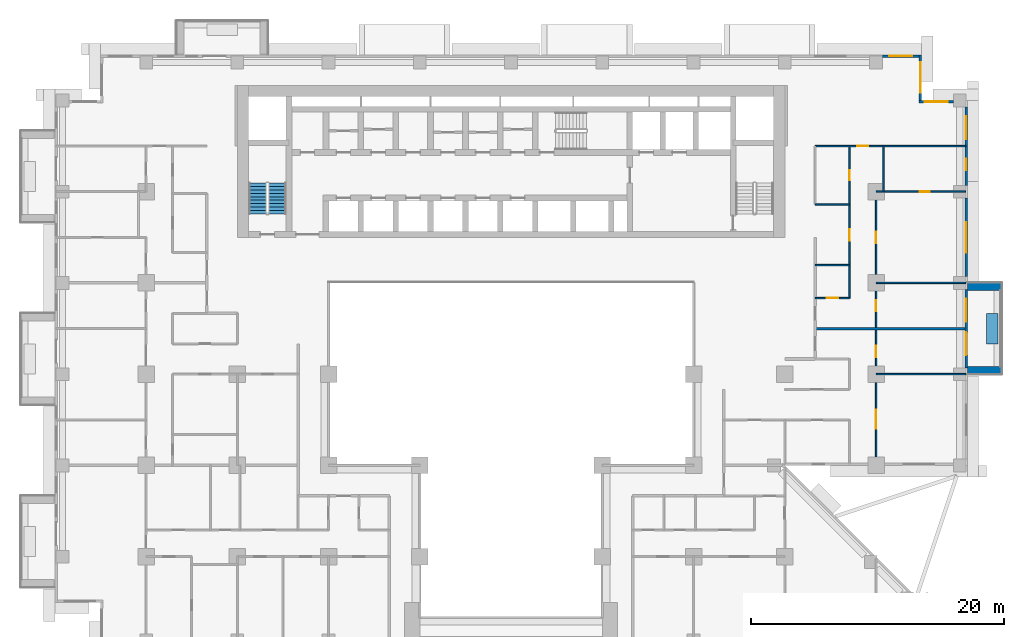
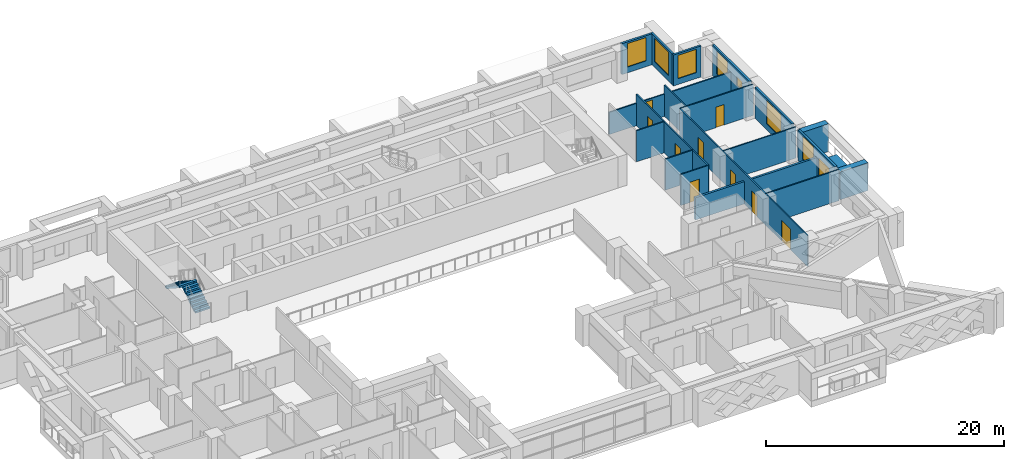
# One storey, part 12 of 17: 20 walls, 10 doors, 7 windows, 2 stair flights, 17 openings, 1 element without a shape of its own.
"""IFC4 building model written with IfcOpenShell, lengths in metres."""

from ifc_helpers import new_model, si_unit, direction, frame, frame_2d, origin, place, context, subcontext, project, spatial, polyline, rectangle, outline, extrude, material, layer, layer_set, type_object, element, fill, aggregate, save


model = new_model("IFC4")

# Units and contexts
model_context = context("Model", 3, precision=1e-05, world=origin(), true_north=direction((0.0, 1.0)))
body_context = subcontext(model_context, "Body", "Model", "MODEL_VIEW")
ifc_project = project(units=[si_unit("LENGTHUNIT", "METRE"), si_unit("AREAUNIT", "SQUARE_METRE"), si_unit("VOLUMEUNIT", "CUBIC_METRE"), si_unit("PLANEANGLEUNIT", "RADIAN"), si_unit("MASSUNIT", "GRAM", prefix="KILO")], contexts=[model_context])

# Site, building, storey
site_placement = place(None, origin())
site = spatial("IfcSite", under=ifc_project, at=site_placement, CompositionType="ELEMENT")
building_placement = place(site_placement, origin())
building = spatial("IfcBuilding", under=site, at=building_placement, Name="Saffron Iwan Residences", CompositionType="ELEMENT")
storey_placement = place(building_placement, frame((0.0, 0.0, 86.5)))
storey = spatial("IfcBuildingStorey", under=building, at=storey_placement, Name="L22", CompositionType="ELEMENT", Elevation=86.5)

# Walls
ifc_material_1 = material(Name="Concrete C50/60 white painted", Category="concrete")
ifc_layer_1 = layer(ifc_material_1, 0.60009765625)
ifc_layer_set_1 = layer_set([ifc_layer_1], Name="Concrete C50/60 white painted")
wall_type_1 = type_object("IfcWallType", Name="BALCONY FIN 600", PredefinedType="SOLIDWALL", material=ifc_layer_set_1)
for number, where, z_axis, x_axis, name in (
    (1, (86.39990234375, 55.5, 0.0), (0.0, 0.0, 1.0), (1.0, 0.0, 0.0), "Balcony fin L22 F2-0a"),
    (2, (86.39990234375, 62.10009765625, 0.0), (0.0, 0.0, 1.0), (1.0, 0.0, 0.0), "Balcony fin L22 F2-0b"),
):
    element("IfcWall", number, at=place(storey_placement, frame(where, z_axis=z_axis, x_axis=x_axis)), inside=storey, type_object=wall_type_1, Name=name, PredefinedType="SOLIDWALL", context=body_context, shape_type="SweptSolid", body=[
        extrude(rectangle(XDim=2.7001953125, YDim=0.60009765625, at=frame_2d((1.35009765625, 0.0))), origin(), (0.0, 0.0, 1.0), 2.85009765625),
    ])
ifc_material_2 = material(Name="Concrete C35/45 white painted", Category="concrete")
ifc_layer_2 = layer(ifc_material_2, 0.14990234375)
ifc_layer_set_2 = layer_set([ifc_layer_2], Name="Concrete C35/45 white painted")
wall_type_2 = type_object("IfcWallType", Name="BALCONY PLANTER", PredefinedType="SOLIDWALL", material=ifc_layer_set_2)
wall_1_placement = place(storey_placement, frame((88.375, 57.60009765625, 0.0), z_axis=(0.0, 0.0, 1.0), x_axis=(0.0, 1.0, 0.0)))
element("IfcWall", 3, at=wall_1_placement, inside=storey, type_object=wall_type_2, Name="PLANTER L22 F2-0", PredefinedType="SOLIDWALL", context=body_context, shape_type="SweptSolid", body=[
    extrude(rectangle(XDim=2.39990234375, YDim=0.89990234375, at=frame_2d((1.199951171875, 0.0))), origin(), (0.0, 0.0, 1.0), 0.89990234375),
])

# Wall, openings, door, window
ifc_material_3 = material(Name="Concrete C40/50", Category="concrete")
ifc_layer_3 = layer(ifc_material_3, 0.199951171875)
ifc_layer_set_3 = layer_set([ifc_layer_3], Name="Concrete C40/50")
wall_type_3 = type_object("IfcWallType", Name="EXTERNAL WALL 200", PredefinedType="SOLIDWALL", material=ifc_layer_set_3)
wall_2_placement = place(storey_placement, frame((86.300048828125, 55.699951171875, 0.0), z_axis=(0.0, 0.0, 1.0), x_axis=(0.0, 1.0, 0.0)))
wall_2 = element("IfcWall", 4, at=wall_2_placement, inside=storey, type_object=wall_type_3, Name="External wall L22 F2.1", PredefinedType="SOLIDWALL", context=body_context, shape_type="SweptSolid", body=[
    extrude(rectangle(XDim=6.199951171875, YDim=0.199951171875, at=frame_2d((3.10009765625, 0.0))), origin(), (0.0, 0.0, 1.0), 3.179931640625),
])
opening_1_placement = place(wall_2_placement, frame((1.0, 0.0, 0.0)))
opening_1 = element("IfcOpeningElement", 5, at=opening_1_placement, cuts=wall_2, Name="Opening BD1", PredefinedType="OPENING", context=body_context, shape_type="SweptSolid", body=[
    extrude(rectangle(XDim=1.800048828125, YDim=2.39990234375, at=frame_2d((0.89990234375, 1.199951171875))), frame((0.0, 0.10986328125, 0.0), z_axis=(0.0, -1.0, 0.0), x_axis=(1.0, 0.0, 0.0)), (0.0, 0.0, 1.0), 0.219970703125),
])
opening_2_placement = place(wall_2_placement, frame((3.64990234375, 0.0, 0.60009765625)))
opening_2 = element("IfcOpeningElement", 6, at=opening_2_placement, cuts=wall_2, Name="Opening W8", PredefinedType="OPENING", context=body_context, shape_type="SweptSolid", body=[
    extrude(rectangle(XDim=1.800048828125, YDim=2.39990234375, at=frame_2d((0.89990234375, 1.199951171875))), frame((0.0, 0.10986328125, 0.0), z_axis=(0.0, -1.0, 0.0), x_axis=(1.0, 0.0, 0.0)), (0.0, 0.0, 1.0), 0.219970703125),
])
ifc_material_4 = material(Name="Clear glass, laminated double glazed", Category="glass")
door_type_1 = type_object("IfcDoorType", Name="BALCONY DOOR 1800 x 2400", OperationType="DOUBLE_DOOR_SLIDING", PredefinedType="DOOR", material=ifc_material_4)
door_1_placement = place(opening_1_placement, origin())
door_1 = element("IfcDoor", 7, at=door_1_placement, inside=storey, type_object=door_type_1, Name="Balcony door L22 F2.0", OperationType="DOUBLE_DOOR_SLIDING", OverallHeight=2.39990234375, OverallWidth=1.800048828125, PredefinedType="DOOR", context=body_context, shape_type="SweptSolid", body=[
    extrude(rectangle(XDim=1.800048828125, YDim=2.39990234375, at=frame_2d((0.89990234375, 1.199951171875))), frame((0.0, 0.02490234375, 0.0), z_axis=(0.0, -1.0, 0.0), x_axis=(1.0, 0.0, 0.0)), (0.0, 0.0, 1.0), 0.050048828125),
])
fill(opening_1, door_1)
window_type_1 = type_object("IfcWindowType", Name="WINDOW 1800 x 2400", PartitioningType="DOUBLE_PANEL_VERTICAL", PredefinedType="WINDOW", material=ifc_material_4)
window_1_placement = place(opening_2_placement, origin())
window_1 = element("IfcWindow", 8, at=window_1_placement, inside=storey, type_object=window_type_1, Name="Window L22 F2.1", OverallHeight=2.39990234375, OverallWidth=1.800048828125, PartitioningType="DOUBLE_PANEL_VERTICAL", PredefinedType="WINDOW", context=body_context, shape_type="SweptSolid", body=[
    extrude(rectangle(XDim=1.800048828125, YDim=2.39990234375, at=frame_2d((0.89990234375, 1.199951171875))), frame((0.0, 0.030029296875, 0.0), z_axis=(0.0, -1.0, 0.0), x_axis=(1.0, 0.0, 0.0)), (0.0, 0.0, 1.0), 0.06005859375),
])
fill(opening_2, window_1)

# Wall, opening, window
wall_3_placement = place(storey_placement, frame((86.300048828125, 62.89990234375, 0.0), z_axis=(0.0, 0.0, 1.0), x_axis=(0.0, 1.0, 0.0)))
wall_3 = element("IfcWall", 9, at=wall_3_placement, inside=storey, type_object=wall_type_3, Name="External wall L22 F2.2", PredefinedType="SOLIDWALL", context=body_context, shape_type="SweptSolid", body=[
    extrude(rectangle(XDim=6.2001953125, YDim=0.199951171875, at=frame_2d((3.10009765625, 0.0))), origin(), (0.0, 0.0, 1.0), 3.179931640625),
])
opening_3_placement = place(wall_3_placement, frame((1.89990234375, 0.0, 0.60009765625)))
opening_3 = element("IfcOpeningElement", 10, at=opening_3_placement, cuts=wall_3, Name="Opening W1", PredefinedType="OPENING", context=body_context, shape_type="SweptSolid", body=[
    extrude(rectangle(XDim=2.39990234375, YDim=2.39990234375, at=frame_2d((1.199951171875, 1.199951171875))), frame((0.0, 0.10986328125, 0.0), z_axis=(0.0, -1.0, 0.0), x_axis=(1.0, 0.0, 0.0)), (0.0, 0.0, 1.0), 0.219970703125),
])
window_type_2 = type_object("IfcWindowType", Name="WINDOW 2400 x 2400", PartitioningType="DOUBLE_PANEL_VERTICAL", PredefinedType="WINDOW", material=ifc_material_4)
window_2_placement = place(opening_3_placement, origin())
window_2 = element("IfcWindow", 11, at=window_2_placement, inside=storey, type_object=window_type_2, Name="Window L22 F2.0", OverallHeight=2.39990234375, OverallWidth=2.39990234375, PartitioningType="DOUBLE_PANEL_VERTICAL", PredefinedType="WINDOW", context=body_context, shape_type="SweptSolid", body=[
    extrude(rectangle(XDim=2.39990234375, YDim=2.39990234375, at=frame_2d((1.199951171875, 1.199951171875))), frame((0.0, 0.030029296875, 0.0), z_axis=(0.0, -1.0, 0.0), x_axis=(1.0, 0.0, 0.0)), (0.0, 0.0, 1.0), 0.06005859375),
])
fill(opening_3, window_2)

# Wall, openings, windows
wall_4_placement = place(storey_placement, frame((86.300048828125, 70.10009765625, 0.0), z_axis=(0.0, 0.0, 1.0), x_axis=(0.0, 1.0, 0.0)))
wall_4 = element("IfcWall", 12, at=wall_4_placement, inside=storey, type_object=wall_type_3, Name="External wall L22 F2.3", PredefinedType="SOLIDWALL", context=body_context, shape_type="SweptSolid", body=[
    extrude(rectangle(XDim=6.199951171875, YDim=0.199951171875, at=frame_2d((3.10009765625, 0.0))), origin(), (0.0, 0.0, 1.0), 3.179931640625),
])
opening_4_placement = place(wall_4_placement, frame((1.199951171875, 0.0, 1.5)))
opening_4 = element("IfcOpeningElement", 13, at=opening_4_placement, cuts=wall_4, Name="Opening W6", PredefinedType="OPENING", context=body_context, shape_type="SweptSolid", body=[
    extrude(rectangle(XDim=0.89990234375, YDim=0.89990234375, at=frame_2d((0.449951171875, 0.449951171875))), frame((0.0, 0.10986328125, 0.0), z_axis=(0.0, -1.0, 0.0), x_axis=(1.0, 0.0, 0.0)), (0.0, 0.0, 1.0), 0.219970703125),
])
opening_5_placement = place(wall_4_placement, frame((3.64990234375, 0.0, 0.60009765625)))
opening_5 = element("IfcOpeningElement", 14, at=opening_5_placement, cuts=wall_4, Name="Opening W8", PredefinedType="OPENING", context=body_context, shape_type="SweptSolid", body=[
    extrude(rectangle(XDim=1.800048828125, YDim=2.39990234375, at=frame_2d((0.89990234375, 1.199951171875))), frame((0.0, 0.10986328125, 0.0), z_axis=(0.0, -1.0, 0.0), x_axis=(1.0, 0.0, 0.0)), (0.0, 0.0, 1.0), 0.219970703125),
])
window_3_placement = place(opening_5_placement, origin())
window_3 = element("IfcWindow", 15, at=window_3_placement, inside=storey, type_object=window_type_1, Name="Window L22 F2.1", OverallHeight=2.39990234375, OverallWidth=1.800048828125, PartitioningType="DOUBLE_PANEL_VERTICAL", PredefinedType="WINDOW", context=body_context, shape_type="SweptSolid", body=[
    extrude(rectangle(XDim=1.800048828125, YDim=2.39990234375, at=frame_2d((0.89990234375, 1.199951171875))), frame((0.0, 0.030029296875, 0.0), z_axis=(0.0, -1.0, 0.0), x_axis=(1.0, 0.0, 0.0)), (0.0, 0.0, 1.0), 0.06005859375),
])
fill(opening_5, window_3)
window_type_3 = type_object("IfcWindowType", Name="WINDOW 900 x 900 BATH", PartitioningType="SINGLE_PANEL", PredefinedType="WINDOW", material=ifc_material_4)
window_4_placement = place(opening_4_placement, origin())
window_4 = element("IfcWindow", 16, at=window_4_placement, inside=storey, type_object=window_type_3, Name="Window L22 F2.0", OverallHeight=0.89990234375, OverallWidth=0.89990234375, PartitioningType="SINGLE_PANEL", PredefinedType="WINDOW", context=body_context, shape_type="SweptSolid", body=[
    extrude(rectangle(XDim=0.89990234375, YDim=0.89990234375, at=frame_2d((0.449951171875, 0.449951171875))), frame((0.0, 0.030029296875, 0.0), z_axis=(0.0, -1.0, 0.0), x_axis=(1.0, 0.0, 0.0)), (0.0, 0.0, 1.0), 0.06005859375),
])
fill(opening_4, window_4)

# Wall, opening, window
wall_5_placement = place(storey_placement, frame((85.300048828125, 76.699951171875, 0.0), z_axis=(0.0, 0.0, 1.0), x_axis=(-1.0, 0.0, 0.0)))
wall_5 = element("IfcWall", 17, at=wall_5_placement, inside=storey, type_object=wall_type_3, Name="External wall L22 F3.0", PredefinedType="SOLIDWALL", context=body_context, shape_type="SweptSolid", body=[
    extrude(rectangle(XDim=2.699951171875, YDim=0.199951171875, at=frame_2d((1.35009765625, 0.0))), origin(), (0.0, 0.0, 1.0), 3.179931640625),
])
opening_6_placement = place(wall_5_placement, frame((0.449951171875, 0.0, 0.60009765625)))
opening_6 = element("IfcOpeningElement", 18, at=opening_6_placement, cuts=wall_5, Name="Opening W8", PredefinedType="OPENING", context=body_context, shape_type="SweptSolid", body=[
    extrude(rectangle(XDim=1.800048828125, YDim=2.39990234375, at=frame_2d((0.89990234375, 1.199951171875))), frame((0.0, 0.10986328125, 0.0), z_axis=(0.0, -1.0, 0.0), x_axis=(1.0, 0.0, 0.0)), (0.0, 0.0, 1.0), 0.219970703125),
])
window_5_placement = place(opening_6_placement, origin())
window_5 = element("IfcWindow", 19, at=window_5_placement, inside=storey, type_object=window_type_1, Name="Window L22 F3.0", OverallHeight=2.39990234375, OverallWidth=1.800048828125, PartitioningType="DOUBLE_PANEL_VERTICAL", PredefinedType="WINDOW", context=body_context, shape_type="SweptSolid", body=[
    extrude(rectangle(XDim=1.800048828125, YDim=2.39990234375, at=frame_2d((0.89990234375, 1.199951171875))), frame((0.0, 0.030029296875, 0.0), z_axis=(0.0, -1.0, 0.0), x_axis=(1.0, 0.0, 0.0)), (0.0, 0.0, 1.0), 0.06005859375),
])
fill(opening_6, window_5)

wall_6_placement = place(storey_placement, frame((82.699951171875, 76.800048828125, 0.0), z_axis=(0.0, 0.0, 1.0), x_axis=(0.0, 1.0, 0.0)))
wall_6 = element("IfcWall", 20, at=wall_6_placement, inside=storey, type_object=wall_type_3, Name="External wall L22 F4.0", PredefinedType="SOLIDWALL", context=body_context, shape_type="SweptSolid", body=[
    extrude(rectangle(XDim=3.599853515625, YDim=0.199951171875, at=frame_2d((1.7998046875, 0.0))), origin(), (0.0, 0.0, 1.0), 3.179931640625),
])
opening_7_placement = place(wall_6_placement, frame((0.60009765625, 0.0, 0.60009765625)))
opening_7 = element("IfcOpeningElement", 21, at=opening_7_placement, cuts=wall_6, Name="Opening W1", PredefinedType="OPENING", context=body_context, shape_type="SweptSolid", body=[
    extrude(rectangle(XDim=2.39990234375, YDim=2.39990234375, at=frame_2d((1.199951171875, 1.199951171875))), frame((0.0, 0.10986328125, 0.0), z_axis=(0.0, -1.0, 0.0), x_axis=(1.0, 0.0, 0.0)), (0.0, 0.0, 1.0), 0.219970703125),
])
window_6_placement = place(opening_7_placement, origin())
window_6 = element("IfcWindow", 22, at=window_6_placement, inside=storey, type_object=window_type_2, Name="Window L22 F4.0", OverallHeight=2.39990234375, OverallWidth=2.39990234375, PartitioningType="DOUBLE_PANEL_VERTICAL", PredefinedType="WINDOW", context=body_context, shape_type="SweptSolid", body=[
    extrude(rectangle(XDim=2.39990234375, YDim=2.39990234375, at=frame_2d((1.199951171875, 1.199951171875))), frame((0.0, 0.030029296875, 0.0), z_axis=(0.0, -1.0, 0.0), x_axis=(1.0, 0.0, 0.0)), (0.0, 0.0, 1.0), 0.06005859375),
])
fill(opening_7, window_6)

wall_7_placement = place(storey_placement, frame((82.60009765625, 80.300048828125, 0.0), z_axis=(0.0, 0.0, 1.0), x_axis=(-1.0, 0.0, 0.0)))
wall_7 = element("IfcWall", 23, at=wall_7_placement, inside=storey, type_object=wall_type_3, Name="External wall L22 F5.0", PredefinedType="SOLIDWALL", context=body_context, shape_type="SweptSolid", body=[
    extrude(rectangle(XDim=2.900146484375, YDim=0.199951171875, at=frame_2d((1.4501953125, 0.0))), origin(), (0.0, 0.0, 1.0), 3.179931640625),
])
opening_8_placement = place(wall_7_placement, frame((0.550048828125, 0.0, 0.60009765625)))
opening_8 = element("IfcOpeningElement", 24, at=opening_8_placement, cuts=wall_7, Name="Opening W8", PredefinedType="OPENING", context=body_context, shape_type="SweptSolid", body=[
    extrude(rectangle(XDim=1.800048828125, YDim=2.39990234375, at=frame_2d((0.89990234375, 1.199951171875))), frame((0.0, 0.10986328125, 0.0), z_axis=(0.0, -1.0, 0.0), x_axis=(1.0, 0.0, 0.0)), (0.0, 0.0, 1.0), 0.219970703125),
])
window_7_placement = place(opening_8_placement, origin())
window_7 = element("IfcWindow", 25, at=window_7_placement, inside=storey, type_object=window_type_1, Name="Window L22 F5.0", OverallHeight=2.39990234375, OverallWidth=1.800048828125, PartitioningType="DOUBLE_PANEL_VERTICAL", PredefinedType="WINDOW", context=body_context, shape_type="SweptSolid", body=[
    extrude(rectangle(XDim=1.800048828125, YDim=2.39990234375, at=frame_2d((0.89990234375, 1.199951171875))), frame((0.0, 0.030029296875, 0.0), z_axis=(0.0, -1.0, 0.0), x_axis=(1.0, 0.0, 0.0)), (0.0, 0.0, 1.0), 0.06005859375),
])
fill(opening_8, window_7)

# Walls
ifc_material_5 = material(Name="Fire-rated gypsum board wall")
ifc_layer_4 = layer(ifc_material_5, 0.199951171875)
ifc_layer_set_4 = layer_set([ifc_layer_4], Name="Fire-rated gypsum board wall")
wall_type_4 = type_object("IfcWallType", Name="Flat demising wall 200", PredefinedType="SOLIDWALL", material=ifc_layer_set_4)
wall_8_placement = place(storey_placement, frame((74.39990234375, 58.800048828125, 0.0), z_axis=(0.0, 0.0, 1.0), x_axis=(1.0, 0.0, 0.0)))
element("IfcWall", 26, at=wall_8_placement, inside=storey, type_object=wall_type_4, Name="W-L22-DEMISE-h58.8-74.4", PredefinedType="SOLIDWALL", context=body_context, shape_type="SweptSolid", body=[
    extrude(rectangle(XDim=11.875, YDim=0.199951171875, at=frame_2d((5.9375, 0.0))), origin(), (0.0, 0.0, 1.0), 2.280029296875),
])
ifc_material_6 = material(Name="Gypsum board partition")
ifc_layer_5 = layer(ifc_material_6, 0.1201171875)
ifc_layer_set_5 = layer_set([ifc_layer_5], Name="Gypsum board partition")
wall_type_5 = type_object("IfcWallType", Name="Flat partition 120", PredefinedType="PARTITIONING", material=ifc_layer_set_5)
wall_9_placement = place(storey_placement, frame((79.199951171875, 55.199951171875, 0.0), z_axis=(0.0, 0.0, 1.0), x_axis=(1.0, 0.0, 0.0)))
element("IfcWall", 27, at=wall_9_placement, inside=storey, type_object=wall_type_5, Name="W-L22-PART-h55.2-79.2", PredefinedType="PARTITIONING", context=body_context, shape_type="SweptSolid", body=[
    extrude(rectangle(XDim=7.074951171875, YDim=0.1201171875, at=frame_2d((3.53759765625, 0.0))), origin(), (0.0, 0.0, 1.0), 3.179931640625),
])

# Wall, opening, door
wall_10_placement = place(storey_placement, frame((74.39990234375, 61.199951171875, 0.0), z_axis=(0.0, 0.0, 1.0), x_axis=(1.0, 0.0, 0.0)))
wall_10 = element("IfcWall", 28, at=wall_10_placement, inside=storey, type_object=wall_type_5, Name="W-L22-PART-h61.2-74.4", PredefinedType="PARTITIONING", context=body_context, shape_type="SweptSolid", body=[
    extrude(rectangle(XDim=2.7001953125, YDim=0.1201171875, at=frame_2d((1.35009765625, 0.0))), origin(), (0.0, 0.0, 1.0), 3.179931640625),
])
opening_9_placement = place(wall_10_placement, frame((0.89990234375, 0.0, 0.0)))
opening_9 = element("IfcOpeningElement", 29, at=opening_9_placement, cuts=wall_10, Name="Opening FD2", PredefinedType="OPENING", context=body_context, shape_type="SweptSolid", body=[
    extrude(rectangle(XDim=0.89990234375, YDim=2.10009765625, at=frame_2d((0.449951171875, 1.050048828125))), frame((0.0, 0.070068359375, 0.0), z_axis=(0.0, -1.0, 0.0), x_axis=(1.0, 0.0, 0.0)), (0.0, 0.0, 1.0), 0.14013671875),
])
ifc_material_7 = material(Name="Timber door", Category="wood")
door_type_2 = type_object("IfcDoorType", Name="Flat door 900", OperationType="NOTDEFINED", PredefinedType="DOOR", material=ifc_material_7)
door_2_placement = place(opening_9_placement, origin())
door_2 = element("IfcDoor", 30, at=door_2_placement, inside=storey, type_object=door_type_2, Name="Door L22-039", OperationType="SINGLE_SWING_RIGHT", OverallHeight=2.10009765625, OverallWidth=0.89990234375, PredefinedType="DOOR", context=body_context, shape_type="SweptSolid", body=[
    extrude(rectangle(XDim=0.89990234375, YDim=2.10009765625, at=frame_2d((0.449951171875, 1.050048828125))), frame((0.0, 0.02490234375, 0.0), z_axis=(0.0, -1.0, 0.0), x_axis=(1.0, 0.0, 0.0)), (0.0, 0.0, 1.0), 0.050048828125),
])
fill(opening_9, door_2)

# Walls
wall_11_placement = place(storey_placement, frame((79.199951171875, 62.39990234375, 0.0), z_axis=(0.0, 0.0, 1.0), x_axis=(1.0, 0.0, 0.0)))
element("IfcWall", 31, at=wall_11_placement, inside=storey, type_object=wall_type_5, Name="W-L22-PART-h62.4-79.2", PredefinedType="PARTITIONING", context=body_context, shape_type="SweptSolid", body=[
    extrude(rectangle(XDim=7.074951171875, YDim=0.1201171875, at=frame_2d((3.53759765625, 0.0))), origin(), (0.0, 0.0, 1.0), 3.179931640625),
])
for number, where, z_axis, x_axis, name in (
    (32, (74.39990234375, 63.800048828125, 0.0), (0.0, 0.0, 1.0), (1.0, 0.0, 0.0), "W-L22-PART-h63.8-74.4"),
    (33, (74.39990234375, 68.60009765625, 0.0), (0.0, 0.0, 1.0), (1.0, 0.0, 0.0), "W-L22-PART-h68.6-74.4"),
):
    element("IfcWall", number, at=place(storey_placement, frame(where, z_axis=z_axis, x_axis=x_axis)), inside=storey, type_object=wall_type_5, Name=name, PredefinedType="PARTITIONING", context=body_context, shape_type="SweptSolid", body=[
        extrude(rectangle(XDim=2.7001953125, YDim=0.1201171875, at=frame_2d((1.35009765625, 0.0))), origin(), (0.0, 0.0, 1.0), 3.179931640625),
    ])

# Wall, opening, door
wall_12_placement = place(storey_placement, frame((79.199951171875, 69.60009765625, 0.0), z_axis=(0.0, 0.0, 1.0), x_axis=(1.0, 0.0, 0.0)))
wall_12 = element("IfcWall", 34, at=wall_12_placement, inside=storey, type_object=wall_type_5, Name="W-L22-PART-h69.6-79.2", PredefinedType="PARTITIONING", context=body_context, shape_type="SweptSolid", body=[
    extrude(rectangle(XDim=7.074951171875, YDim=0.1201171875, at=frame_2d((3.53759765625, 0.0))), origin(), (0.0, 0.0, 1.0), 3.179931640625),
])
opening_10_placement = place(wall_12_placement, frame((3.4375, 0.0, 0.0)))
opening_10 = element("IfcOpeningElement", 35, at=opening_10_placement, cuts=wall_12, Name="Opening FD3", PredefinedType="OPENING", context=body_context, shape_type="SweptSolid", body=[
    extrude(rectangle(XDim=0.800048828125, YDim=2.10009765625, at=frame_2d((0.39990234375, 1.050048828125))), frame((0.0, 0.070068359375, 0.0), z_axis=(0.0, -1.0, 0.0), x_axis=(1.0, 0.0, 0.0)), (0.0, 0.0, 1.0), 0.14013671875),
])
door_type_3 = type_object("IfcDoorType", Name="Bathroom door 800", OperationType="NOTDEFINED", PredefinedType="DOOR", material=ifc_material_7)
door_3_placement = place(opening_10_placement, origin())
door_3 = element("IfcDoor", 36, at=door_3_placement, inside=storey, type_object=door_type_3, Name="Door L22-037", OperationType="SINGLE_SWING_LEFT", OverallHeight=2.10009765625, OverallWidth=0.800048828125, PredefinedType="DOOR", context=body_context, shape_type="SweptSolid", body=[
    extrude(rectangle(XDim=0.800048828125, YDim=2.10009765625, at=frame_2d((0.39990234375, 1.050048828125))), frame((0.0, 0.02490234375, 0.0), z_axis=(0.0, -1.0, 0.0), x_axis=(1.0, 0.0, 0.0)), (0.0, 0.0, 1.0), 0.050048828125),
])
fill(opening_10, door_3)

wall_13_placement = place(storey_placement, frame((74.39990234375, 73.199951171875, 0.0), z_axis=(0.0, 0.0, 1.0), x_axis=(1.0, 0.0, 0.0)))
wall_13 = element("IfcWall", 37, at=wall_13_placement, inside=storey, type_object=wall_type_5, Name="W-L22-PART-h73.2-74.4", PredefinedType="PARTITIONING", context=body_context, shape_type="SweptSolid", body=[
    extrude(rectangle(XDim=11.875, YDim=0.1201171875, at=frame_2d((5.9375, 0.0))), origin(), (0.0, 0.0, 1.0), 2.280029296875),
])
opening_11_placement = place(wall_13_placement, frame((3.300048828125, 0.0, 0.0)))
opening_11 = element("IfcOpeningElement", 38, at=opening_11_placement, cuts=wall_13, Name="Opening FD2", PredefinedType="OPENING", context=body_context, shape_type="SweptSolid", body=[
    extrude(rectangle(XDim=0.89990234375, YDim=2.10009765625, at=frame_2d((0.449951171875, 1.050048828125))), frame((0.0, 0.070068359375, 0.0), z_axis=(0.0, -1.0, 0.0), x_axis=(1.0, 0.0, 0.0)), (0.0, 0.0, 1.0), 0.14013671875),
])
door_4_placement = place(opening_11_placement, origin())
door_4 = element("IfcDoor", 39, at=door_4_placement, inside=storey, type_object=door_type_2, Name="Door L22-038", OperationType="SINGLE_SWING_LEFT", OverallHeight=2.10009765625, OverallWidth=0.89990234375, PredefinedType="DOOR", context=body_context, shape_type="SweptSolid", body=[
    extrude(rectangle(XDim=0.89990234375, YDim=2.10009765625, at=frame_2d((0.449951171875, 1.050048828125))), frame((0.0, 0.02490234375, 0.0), z_axis=(0.0, -1.0, 0.0), x_axis=(1.0, 0.0, 0.0)), (0.0, 0.0, 1.0), 0.050048828125),
])
fill(opening_11, door_4)

# Wall, openings, doors
wall_14_placement = place(storey_placement, frame((77.10009765625, 61.199951171875, 0.0), z_axis=(0.0, 0.0, 1.0), x_axis=(0.0, 1.0, 0.0)))
wall_14 = element("IfcWall", 40, at=wall_14_placement, inside=storey, type_object=wall_type_5, Name="W-L22-PART-v77.1-61.2", PredefinedType="PARTITIONING", context=body_context, shape_type="SweptSolid", body=[
    extrude(rectangle(XDim=12.0, YDim=0.1201171875, at=frame_2d((6.0, 0.0))), origin(), (0.0, 0.0, 1.0), 3.179931640625),
])
opening_12_placement = place(wall_14_placement, frame((4.550048828125, 0.0, 0.0)))
opening_12 = element("IfcOpeningElement", 41, at=opening_12_placement, cuts=wall_14, Name="Opening FD2", PredefinedType="OPENING", context=body_context, shape_type="SweptSolid", body=[
    extrude(rectangle(XDim=0.89990234375, YDim=2.10009765625, at=frame_2d((0.449951171875, 1.050048828125))), frame((0.0, 0.070068359375, 0.0), z_axis=(0.0, -1.0, 0.0), x_axis=(1.0, 0.0, 0.0)), (0.0, 0.0, 1.0), 0.14013671875),
])
opening_13_placement = place(wall_14_placement, frame((9.300048828125, 0.0, 0.0)))
opening_13 = element("IfcOpeningElement", 42, at=opening_13_placement, cuts=wall_14, Name="Opening FD3", PredefinedType="OPENING", context=body_context, shape_type="SweptSolid", body=[
    extrude(rectangle(XDim=0.800048828125, YDim=2.10009765625, at=frame_2d((0.39990234375, 1.050048828125))), frame((0.0, 0.070068359375, 0.0), z_axis=(0.0, -1.0, 0.0), x_axis=(1.0, 0.0, 0.0)), (0.0, 0.0, 1.0), 0.14013671875),
])
door_5_placement = place(opening_13_placement, origin())
door_5 = element("IfcDoor", 43, at=door_5_placement, inside=storey, type_object=door_type_3, Name="Door L22-041", OperationType="SINGLE_SWING_LEFT", OverallHeight=2.10009765625, OverallWidth=0.800048828125, PredefinedType="DOOR", context=body_context, shape_type="SweptSolid", body=[
    extrude(rectangle(XDim=0.800048828125, YDim=2.10009765625, at=frame_2d((0.39990234375, 1.050048828125))), frame((0.0, 0.02490234375, 0.0), z_axis=(0.0, -1.0, 0.0), x_axis=(1.0, 0.0, 0.0)), (0.0, 0.0, 1.0), 0.050048828125),
])
fill(opening_13, door_5)
door_6_placement = place(opening_12_placement, origin())
door_6 = element("IfcDoor", 44, at=door_6_placement, inside=storey, type_object=door_type_2, Name="Door L22-040", OperationType="SINGLE_SWING_LEFT", OverallHeight=2.10009765625, OverallWidth=0.89990234375, PredefinedType="DOOR", context=body_context, shape_type="SweptSolid", body=[
    extrude(rectangle(XDim=0.89990234375, YDim=2.10009765625, at=frame_2d((0.449951171875, 1.050048828125))), frame((0.0, 0.02490234375, 0.0), z_axis=(0.0, -1.0, 0.0), x_axis=(1.0, 0.0, 0.0)), (0.0, 0.0, 1.0), 0.050048828125),
])
fill(opening_12, door_6)

wall_15_placement = place(storey_placement, frame((79.199951171875, 48.125, 0.0), z_axis=(0.0, 0.0, 1.0), x_axis=(0.0, 1.0, 0.0)))
wall_15 = element("IfcWall", 45, at=wall_15_placement, inside=storey, type_object=wall_type_5, Name="W-L22-PART-v79.2-48.125", PredefinedType="PARTITIONING", context=body_context, shape_type="SweptSolid", body=[
    extrude(rectangle(XDim=21.47509765625, YDim=0.1201171875, at=frame_2d((10.737548828125, 0.0))), origin(), (0.0, 0.0, 1.0), 3.179931640625),
])
opening_14_placement = place(wall_15_placement, frame((2.78759765625, 0.0, 0.0)))
opening_14 = element("IfcOpeningElement", 46, at=opening_14_placement, cuts=wall_15, Name="Opening FD4", PredefinedType="OPENING", context=body_context, shape_type="SweptSolid", body=[
    extrude(rectangle(XDim=1.5, YDim=2.10009765625, at=frame_2d((0.75, 1.050048828125))), frame((0.0, 0.070068359375, 0.0), z_axis=(0.0, -1.0, 0.0), x_axis=(1.0, 0.0, 0.0)), (0.0, 0.0, 1.0), 0.14013671875),
])
opening_15_placement = place(wall_15_placement, frame((8.425048828125, 0.0, 0.0)))
opening_15 = element("IfcOpeningElement", 47, at=opening_15_placement, cuts=wall_15, Name="Opening FD2", PredefinedType="OPENING", context=body_context, shape_type="SweptSolid", body=[
    extrude(rectangle(XDim=0.89990234375, YDim=2.10009765625, at=frame_2d((0.449951171875, 1.050048828125))), frame((0.0, 0.070068359375, 0.0), z_axis=(0.0, -1.0, 0.0), x_axis=(1.0, 0.0, 0.0)), (0.0, 0.0, 1.0), 0.14013671875),
])
opening_16_placement = place(wall_15_placement, frame((12.02490234375, 0.0, 0.0)))
opening_16 = element("IfcOpeningElement", 48, at=opening_16_placement, cuts=wall_15, Name="Opening FD2", PredefinedType="OPENING", context=body_context, shape_type="SweptSolid", body=[
    extrude(rectangle(XDim=0.89990234375, YDim=2.10009765625, at=frame_2d((0.449951171875, 1.050048828125))), frame((0.0, 0.070068359375, 0.0), z_axis=(0.0, -1.0, 0.0), x_axis=(1.0, 0.0, 0.0)), (0.0, 0.0, 1.0), 0.14013671875),
])
opening_17_placement = place(wall_15_placement, frame((17.425048828125, 0.0, 0.0)))
opening_17 = element("IfcOpeningElement", 49, at=opening_17_placement, cuts=wall_15, Name="Opening FD2", PredefinedType="OPENING", context=body_context, shape_type="SweptSolid", body=[
    extrude(rectangle(XDim=0.89990234375, YDim=2.10009765625, at=frame_2d((0.449951171875, 1.050048828125))), frame((0.0, 0.070068359375, 0.0), z_axis=(0.0, -1.0, 0.0), x_axis=(1.0, 0.0, 0.0)), (0.0, 0.0, 1.0), 0.14013671875),
])
door_type_4 = type_object("IfcDoorType", Name="Double door 1500", OperationType="NOTDEFINED", PredefinedType="DOOR", material=ifc_material_7)
door_7_placement = place(opening_14_placement, origin())
door_7 = element("IfcDoor", 50, at=door_7_placement, inside=storey, type_object=door_type_4, Name="Door L22-022", OperationType="SINGLE_SWING_LEFT", OverallHeight=2.10009765625, OverallWidth=1.5, PredefinedType="DOOR", context=body_context, shape_type="SweptSolid", body=[
    extrude(rectangle(XDim=1.5, YDim=2.10009765625, at=frame_2d((0.75, 1.050048828125))), frame((0.0, 0.02490234375, 0.0), z_axis=(0.0, -1.0, 0.0), x_axis=(1.0, 0.0, 0.0)), (0.0, 0.0, 1.0), 0.050048828125),
])
fill(opening_14, door_7)
door_8_placement = place(opening_15_placement, origin())
door_8 = element("IfcDoor", 51, at=door_8_placement, inside=storey, type_object=door_type_2, Name="Door L22-023", OperationType="SINGLE_SWING_LEFT", OverallHeight=2.10009765625, OverallWidth=0.89990234375, PredefinedType="DOOR", context=body_context, shape_type="SweptSolid", body=[
    extrude(rectangle(XDim=0.89990234375, YDim=2.10009765625, at=frame_2d((0.449951171875, 1.050048828125))), frame((0.0, 0.02490234375, 0.0), z_axis=(0.0, -1.0, 0.0), x_axis=(1.0, 0.0, 0.0)), (0.0, 0.0, 1.0), 0.050048828125),
])
fill(opening_15, door_8)
door_9_placement = place(opening_16_placement, origin())
door_9 = element("IfcDoor", 52, at=door_9_placement, inside=storey, type_object=door_type_2, Name="Door L22-035", OperationType="SINGLE_SWING_LEFT", OverallHeight=2.10009765625, OverallWidth=0.89990234375, PredefinedType="DOOR", context=body_context, shape_type="SweptSolid", body=[
    extrude(rectangle(XDim=0.89990234375, YDim=2.10009765625, at=frame_2d((0.449951171875, 1.050048828125))), frame((0.0, 0.02490234375, 0.0), z_axis=(0.0, -1.0, 0.0), x_axis=(1.0, 0.0, 0.0)), (0.0, 0.0, 1.0), 0.050048828125),
])
fill(opening_16, door_9)
door_10_placement = place(opening_17_placement, origin())
door_10 = element("IfcDoor", 53, at=door_10_placement, inside=storey, type_object=door_type_2, Name="Door L22-036", OperationType="SINGLE_SWING_RIGHT", OverallHeight=2.10009765625, OverallWidth=0.89990234375, PredefinedType="DOOR", context=body_context, shape_type="SweptSolid", body=[
    extrude(rectangle(XDim=0.89990234375, YDim=2.10009765625, at=frame_2d((0.449951171875, 1.050048828125))), frame((0.0, 0.02490234375, 0.0), z_axis=(0.0, -1.0, 0.0), x_axis=(1.0, 0.0, 0.0)), (0.0, 0.0, 1.0), 0.050048828125),
])
fill(opening_17, door_10)

# Wall
wall_16_placement = place(storey_placement, frame((79.800048828125, 69.60009765625, 0.0), z_axis=(0.0, 0.0, 1.0), x_axis=(0.0, 1.0, 0.0)))
element("IfcWall", 54, at=wall_16_placement, inside=storey, type_object=wall_type_5, Name="W-L22-PART-v79.8-69.6", PredefinedType="PARTITIONING", context=body_context, shape_type="SweptSolid", body=[
    extrude(rectangle(XDim=3.599853515625, YDim=0.1201171875, at=frame_2d((1.7998046875, 0.0))), origin(), (0.0, 0.0, 1.0), 3.179931640625),
])

# Stair, stair flights
ifc_material_8 = material(Name="Concrete C50/60", Category="concrete")
stair_type = type_object("IfcStairType", Name="Stair ST-CORE", PredefinedType="HALF_TURN_STAIR", material=ifc_material_8)
stair_placement = place(storey_placement, origin())
stair = element("IfcStair", 55, at=stair_placement, inside=storey, type_object=stair_type, Name="L22 Exit Stair ST-W", PredefinedType="HALF_TURN_STAIR")
ifc_layer_6 = layer(ifc_material_8, 0.14990234375)
ifc_layer_set_6 = layer_set([ifc_layer_6], Name="Concrete C50/60")
stair_flight_type = type_object("IfcStairFlightType", Name="Stair flight SFL-RC", PredefinedType="STRAIGHT", material=ifc_layer_set_6)
stair_flight_1_placement = place(storey_placement, frame((31.949951171875, 67.85009765625, 0.0), z_axis=(0.0, 0.0, 1.0), x_axis=(0.0, 1.0, 0.0)))
stair_flight_1 = element("IfcStairFlight", 56, at=stair_flight_1_placement, type_object=stair_flight_type, Name="ST-W flight 1", NumberOfRisers=10, NumberOfTreads=9, PredefinedType="STRAIGHT", RiserHeight=0.175, TreadLength=0.27, context=body_context, shape_type="SweptSolid", body=[
    extrude(outline(polyline([(0.0, 0.0), (0.0, 0.175048828125), (0.27001953125, 0.175048828125), (0.27001953125, 0.35009765625), (0.5400390625, 0.35009765625), (0.5400390625, 0.52490234375), (0.81005859375, 0.52490234375), (0.81005859375, 0.699951171875), (1.080078125, 0.699951171875), (1.080078125, 0.875), (1.35009765625, 0.875), (1.35009765625, 1.050048828125), (1.6201171875, 1.050048828125), (1.6201171875, 1.22509765625), (1.889892578125, 1.22509765625), (1.889892578125, 1.39990234375), (2.159912109375, 1.39990234375), (2.159912109375, 1.574951171875), (2.429931640625, 1.574951171875), (2.429931640625, 1.75), (2.429931640625, 1.396484375), (0.275634765625, 0.0), (0.0, 0.0)])), frame((0.0, 0.699951171875, 0.0), z_axis=(0.0, -1.0, 0.0), x_axis=(1.0, 0.0, 0.0)), (0.0, 0.0, 1.0), 1.39990234375),
])
stair_flight_2_placement = place(storey_placement, frame((30.39990234375, 70.280029296875, 1.75), z_axis=(0.0, 0.0, 1.0), x_axis=(0.0, -1.0, 0.0)))
stair_flight_2 = element("IfcStairFlight", 57, at=stair_flight_2_placement, type_object=stair_flight_type, Name="ST-W flight 2", NumberOfRisers=10, NumberOfTreads=9, PredefinedType="STRAIGHT", RiserHeight=0.175, TreadLength=0.27, context=body_context, shape_type="SweptSolid", body=[
    extrude(outline(polyline([(0.0, 0.0), (0.0, 0.175048828125), (0.27001953125, 0.175048828125), (0.27001953125, 0.35009765625), (0.5400390625, 0.35009765625), (0.5400390625, 0.52490234375), (0.81005859375, 0.52490234375), (0.81005859375, 0.699951171875), (1.080078125, 0.699951171875), (1.080078125, 0.875), (1.35009765625, 0.875), (1.35009765625, 1.050048828125), (1.6201171875, 1.050048828125), (1.6201171875, 1.22509765625), (1.889892578125, 1.22509765625), (1.889892578125, 1.39990234375), (2.159912109375, 1.39990234375), (2.159912109375, 1.574951171875), (2.429931640625, 1.574951171875), (2.429931640625, 1.75), (2.429931640625, 1.396484375), (0.275634765625, 0.0), (0.0, 0.0)])), frame((0.0, 0.699951171875, 0.0), z_axis=(0.0, -1.0, 0.0), x_axis=(1.0, 0.0, 0.0)), (0.0, 0.0, 1.0), 1.39990234375),
])
aggregate(stair, [stair_flight_1, stair_flight_2])

save(model, "model.ifc")
